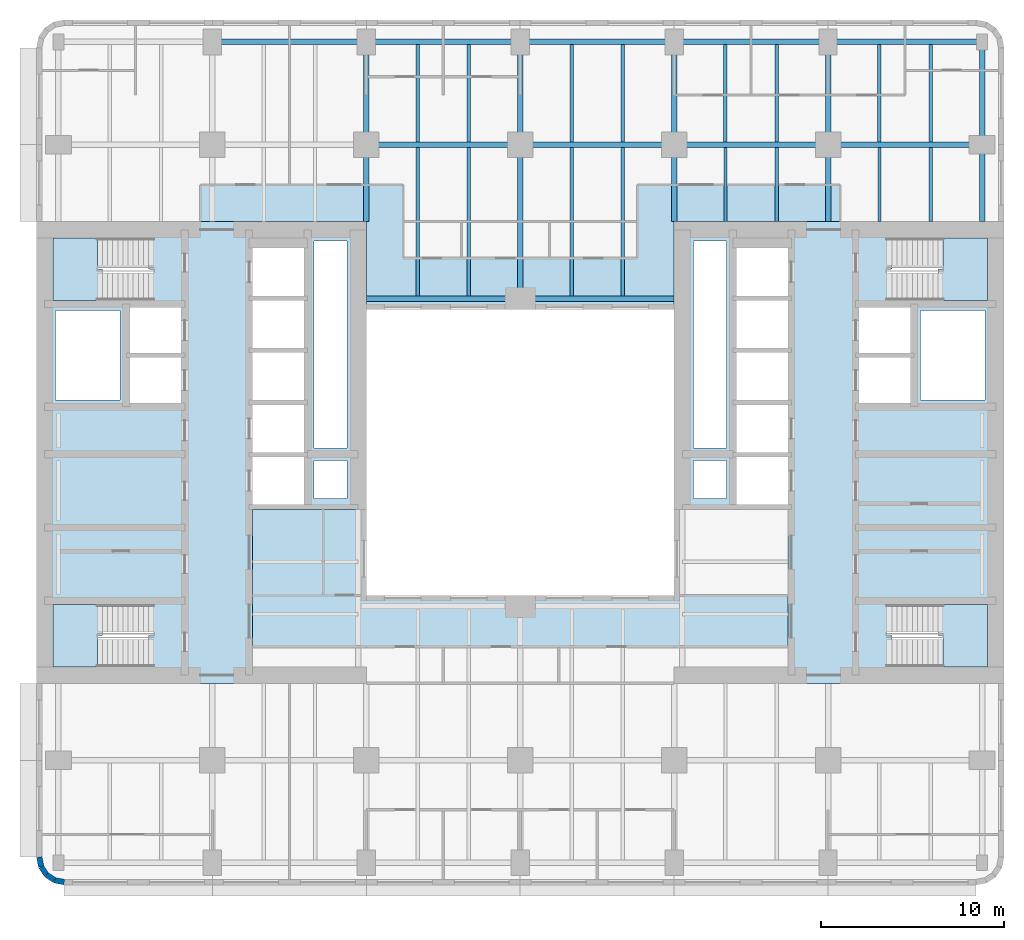
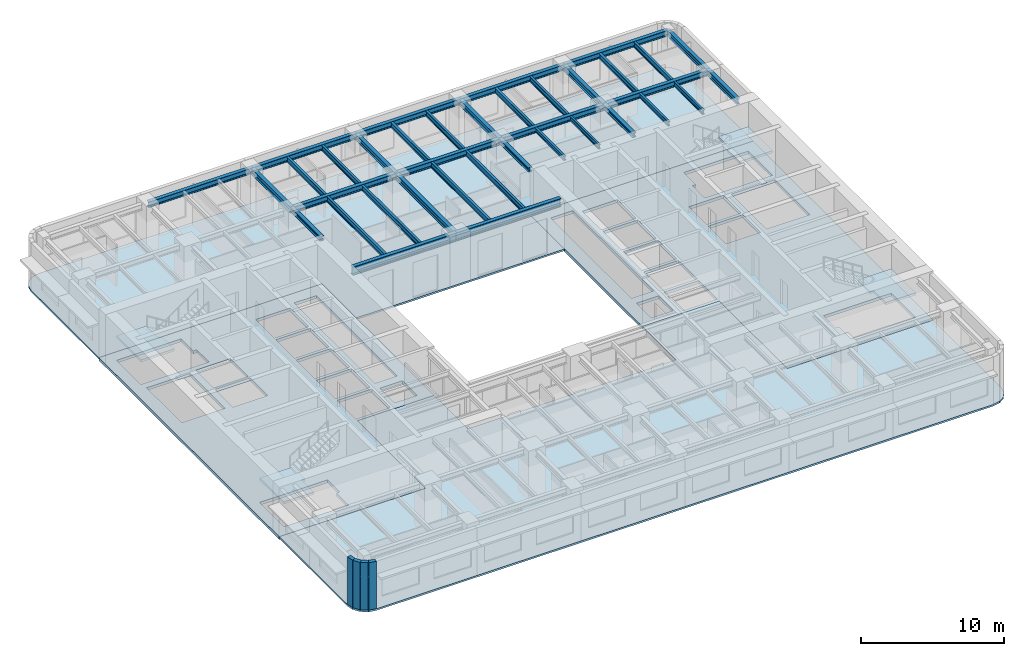
# One storey, part 2 of 11: 37 beams, 8 slabs, 4 walls, 4 elements without a shape of their own.
"""IFC4 building model written with IfcOpenShell, lengths in metres."""

import ifcopenshell
import ifcopenshell.guid

model = None  # the IFC model being written
_history = None  # IfcOwnerHistory: only IFC2X3 demands one
_inside = {}  # id of a spatial element -> (the spatial element, [elements in it])
_under = {}  # id of a project, library or spatial element -> (it, [spatial elements below it])
_declared = {}  # id of a project -> (the project, [libraries it declares])
_typed = {}  # id of a type object -> (the type object, [elements of that type])
_made_of = {}  # id of a material, layer set ... -> (it, [elements and type objects made of it])


def new_model(schema):
    """Start an empty IFC model of exactly this schema.

    Asked for "IFC4X3", IfcOpenShell would pick the latest addendum, in which some entities
    have other attributes; the version numbers below select the first issue.
    IFC2X3 requires an IfcOwnerHistory on every rooted entity: one is made here for all.
    """
    global model, _history
    if schema == "IFC4X3":
        model = ifcopenshell.file(schema_version=(4, 3, 0, 0))
    else:
        model = ifcopenshell.file(schema=schema)
    _inside.clear()
    _under.clear()
    _declared.clear()
    _typed.clear()
    _made_of.clear()
    _history = None
    if model.schema == "IFC2X3":
        org = make("IfcOrganization", Name="unknown")
        user = make(
            "IfcPersonAndOrganization",
            ThePerson=make("IfcPerson", FamilyName="unknown"),
            TheOrganization=org,
        )
        app = make(
            "IfcApplication",
            ApplicationDeveloper=org,
            Version="unknown",
            ApplicationFullName="unknown",
            ApplicationIdentifier="unknown",
        )
        _history = make(
            "IfcOwnerHistory",
            OwningUser=user,
            OwningApplication=app,
            ChangeAction="ADDED",
            CreationDate=0,
        )
    return model


def make(cls, **values):
    """One entity of the class cls with the attributes given. An attribute that is None is left unset."""
    return model.create_entity(
        cls, **{name: value for name, value in values.items() if value is not None}
    )


def rooted(cls, **values):
    """An entity with a GlobalId (a new one), such as an element, a storey or a relation."""
    return make(cls, GlobalId=ifcopenshell.guid.new(), OwnerHistory=_history, **values)


def si_unit(unit_type, name, prefix=None):
    """IfcSIUnit, for example si_unit("LENGTHUNIT", "METRE", prefix="MILLI")."""
    return make("IfcSIUnit", UnitType=unit_type, Prefix=prefix, Name=name)


def assignment(units):
    """IfcUnitAssignment: the units of a project."""
    return None if units is None else make("IfcUnitAssignment", Units=units)


def point(xyz):
    """IfcCartesianPoint."""
    return None if xyz is None else make("IfcCartesianPoint", Coordinates=xyz)


def direction(xyz):
    """IfcDirection."""
    return None if xyz is None else make("IfcDirection", DirectionRatios=xyz)


def frame(location, z_axis=None, x_axis=None):
    """IfcAxis2Placement3D, a coordinate frame: its origin and axes. An axis left out is left unset."""
    return make(
        "IfcAxis2Placement3D",
        Location=point(location),
        Axis=direction(z_axis),
        RefDirection=direction(x_axis),
    )


def frame_2d(location, x_axis=None):
    """IfcAxis2Placement2D, a coordinate frame in the plane: its origin and x axis."""
    return make(
        "IfcAxis2Placement2D", Location=point(location), RefDirection=direction(x_axis)
    )


def origin():
    """The frame at (0, 0, 0) with its axes left unset."""
    return frame((0.0, 0.0, 0.0))


def origin_2d():
    """The frame at (0, 0) in the plane with its x axis left unset."""
    return frame_2d((0.0, 0.0))


def place(relative_to, where):
    """IfcLocalPlacement: puts the frame where relative to a parent placement (None: the world)."""
    return make(
        "IfcLocalPlacement", PlacementRelTo=relative_to, RelativePlacement=where
    )


def context(
    kind, dimensions, precision=None, world=None, true_north=None, identifier=None
):
    """IfcGeometricRepresentationContext, for example the 3D "Model" context."""
    return make(
        "IfcGeometricRepresentationContext",
        ContextIdentifier=identifier,
        ContextType=kind,
        CoordinateSpaceDimension=dimensions,
        Precision=precision,
        WorldCoordinateSystem=world,
        TrueNorth=true_north,
    )


def subcontext(parent, identifier, kind, view, scale=None):
    """IfcGeometricRepresentationSubContext, for example "Body" below "Model"."""
    return make(
        "IfcGeometricRepresentationSubContext",
        ContextIdentifier=identifier,
        ContextType=kind,
        ParentContext=parent,
        TargetScale=scale,
        TargetView=view,
    )


def project(units=None, contexts=None):
    """IfcProject with its units and contexts."""
    return rooted(
        "IfcProject",
        Name="project",
        RepresentationContexts=contexts,
        UnitsInContext=assignment(units),
    )


def spatial(cls, under=None, at=None, **own):
    """A site, building, storey or space (cls), placed at a placement, below another one or the project."""
    s = rooted(cls, ObjectPlacement=at, **own)
    if under is not None:
        _under.setdefault(under.id(), (under, []))[1].append(s)
    return s


def polyline(points):
    """IfcPolyline through the points."""
    return make("IfcPolyline", Points=[point(p) for p in points])


def profile(cls, at=None, kind="AREA", **sizes):
    """A parametric profile (cls). Its sizes go by their IFC names, for example OverallWidth=200.0."""
    return make(cls, ProfileType=kind, Position=at, **sizes)


def rectangle(**sizes):
    """IfcRectangleProfileDef."""
    return profile("IfcRectangleProfileDef", **sizes)


def i_section(**sizes):
    """IfcIShapeProfileDef."""
    return profile("IfcIShapeProfileDef", **sizes)


def outline(outer, holes=None, kind="AREA"):
    """IfcArbitraryClosedProfileDef: a profile drawn as a closed curve; with holes, ...WithVoids."""
    if holes is None:
        return make("IfcArbitraryClosedProfileDef", ProfileType=kind, OuterCurve=outer)
    return make(
        "IfcArbitraryProfileDefWithVoids",
        ProfileType=kind,
        OuterCurve=outer,
        InnerCurves=holes,
    )


def extrude(swept, where, along, depth):
    """IfcExtrudedAreaSolid: the profile swept, set in the frame where, extruded along a direction by depth."""
    return make(
        "IfcExtrudedAreaSolid",
        SweptArea=swept,
        Position=where,
        ExtrudedDirection=direction(along),
        Depth=depth,
    )


def shape(context_of_items, identifier, shape_type, items):
    """IfcShapeRepresentation: the items that make up one representation, for example the "Body"."""
    return make(
        "IfcShapeRepresentation",
        ContextOfItems=context_of_items,
        RepresentationIdentifier=identifier,
        RepresentationType=shape_type,
        Items=items,
    )


def material(Name=None, Category=None):
    """IfcMaterial."""
    return make("IfcMaterial", Name=Name, Category=Category)


def layer(
    of_material, thickness, ventilated=None, Name=None, Category=None, Priority=None
):
    """IfcMaterialLayer: one layer of a wall or slab, of a material (None: an air gap)."""
    return make(
        "IfcMaterialLayer",
        Material=of_material,
        LayerThickness=thickness,
        IsVentilated=ventilated,
        Name=Name,
        Category=Category,
        Priority=Priority,
    )


def layer_set(layers, Name=None):
    """IfcMaterialLayerSet."""
    return make("IfcMaterialLayerSet", MaterialLayers=layers, LayerSetName=Name)


def material_profile(
    of_material, cross_section, Name=None, Category=None, Priority=None
):
    """IfcMaterialProfile: a cross section and its material."""
    return make(
        "IfcMaterialProfile",
        Name=Name,
        Material=of_material,
        Profile=cross_section,
        Priority=Priority,
        Category=Category,
    )


def profile_set(profiles, Name=None, composite=None):
    """IfcMaterialProfileSet."""
    return make(
        "IfcMaterialProfileSet",
        Name=Name,
        MaterialProfiles=profiles,
        CompositeProfile=composite,
    )


def made_of(thing, what):
    """Note that an element or type object is made of a material, layer set ...; save() writes the relation."""
    if what is not None:
        _made_of.setdefault(what.id(), (what, []))[1].append(thing)
    return thing


def type_object(cls, material=None, **own):
    """A type object (cls), such as IfcWallType, which elements share."""
    return made_of(rooted(cls, **own), material)


def element(
    cls,
    number,
    at=None,
    inside=None,
    cuts=None,
    type_object=None,
    material=None,
    context=None,
    identifier="Body",
    shape_type=None,
    held_by="IfcProductDefinitionShape",
    body=None,
    shapes=None,
    **own,
):
    """One element of the class cls, such as IfcWall. Its Tag is "e" and its number.

    at: its placement. inside: the storey or other place that contains it. cuts: it is an
    opening in that element (IfcRelVoidsElement). A single representation is given by context,
    identifier, shape_type and body (its items); several are given by shapes. held_by: the class
    of the entity that holds the representations. save() writes the other relations.
    """
    e = rooted(cls, Tag="e%d" % number, ObjectPlacement=at, **own)
    if body is not None:
        shapes = [shape(context, identifier, shape_type, body)]
    if shapes is not None:
        e.Representation = make(held_by, Representations=shapes)
    if inside is not None:
        _inside.setdefault(inside.id(), (inside, []))[1].append(e)
    if cuts is not None:
        rooted(
            "IfcRelVoidsElement", RelatingBuildingElement=cuts, RelatedOpeningElement=e
        )
    if type_object is not None:
        _typed.setdefault(type_object.id(), (type_object, []))[1].append(e)
    return made_of(e, material)


def aggregate(whole, parts):
    """IfcRelAggregates: a whole, such as a stair, and the parts it consists of."""
    return rooted("IfcRelAggregates", RelatingObject=whole, RelatedObjects=parts)


def save(model, path):
    """Write the relations noted so far, then the file.

    IfcRelAggregates (storeys below a building ...), IfcRelContainedInSpatialStructure (elements
    in a storey), IfcRelDefinesByType, IfcRelAssociatesMaterial and IfcRelDeclares: one each for
    every whole, place, type object, material and project.
    """
    for whole, parts in _under.values():
        aggregate(whole, parts)
    for where, things in _inside.values():
        rooted(
            "IfcRelContainedInSpatialStructure",
            RelatedElements=things,
            RelatingStructure=where,
        )
    for kind, things in _typed.values():
        rooted("IfcRelDefinesByType", RelatedObjects=things, RelatingType=kind)
    for what, things in _made_of.values():
        rooted("IfcRelAssociatesMaterial", RelatedObjects=things, RelatingMaterial=what)
    for by, libraries in _declared.values():
        rooted("IfcRelDeclares", RelatingContext=by, RelatedDefinitions=libraries)
    model.write(path)


model = new_model("IFC4")

# Units and contexts
model_context = context("Model", 3, precision=1e-05, world=origin(), true_north=direction((0.0, 1.0)))
body_context = subcontext(model_context, "Body", "Model", "MODEL_VIEW")
ifc_project = project(units=[si_unit("LENGTHUNIT", "METRE"), si_unit("AREAUNIT", "SQUARE_METRE"), si_unit("VOLUMEUNIT", "CUBIC_METRE"), si_unit("PLANEANGLEUNIT", "RADIAN"), si_unit("MASSUNIT", "GRAM", prefix="KILO")], contexts=[model_context])

# Site, building, storey
site_placement = place(None, origin())
site = spatial("IfcSite", under=ifc_project, at=site_placement, CompositionType="ELEMENT")
building_placement = place(site_placement, origin())
building = spatial("IfcBuilding", under=site, at=building_placement, Name="Claustro Exchange Tower", CompositionType="ELEMENT")
storey_placement = place(building_placement, frame((0.0, 0.0, 159.60009765625)))
storey = spatial("IfcBuildingStorey", under=building, at=storey_placement, Name="L36", CompositionType="ELEMENT", Elevation=159.60009765625)

# Beams
ifc_material_1 = material(Name="Steel S355", Category="steel")
ifc_material_profile_1 = material_profile(ifc_material_1, i_section(OverallWidth=0.300048828125, OverallDepth=0.68994140625, WebThickness=0.014404296875, FlangeThickness=0.027099609375, FilletRadius=0.027099609375, at=origin_2d()), Name="HE 700 A")
ifc_profile_set_1 = profile_set([ifc_material_profile_1], Name="Steel S355")
beam_type_1 = type_object("IfcBeamType", Name="B13 HE 700 A light well edge girder", PredefinedType="BEAM", material=ifc_profile_set_1)
beam_1_placement = place(storey_placement, frame((16.800048828125, 33.60009765625, 3.704833984375), z_axis=(1.0, 0.0, 0.0), x_axis=(0.0, 1.0, 0.0)))
element("IfcBeam", 1, at=beam_1_placement, inside=storey, type_object=beam_type_1, Name="Beam B13 L37", PredefinedType="BEAM", context=body_context, shape_type="SweptSolid", body=[
    extrude(i_section(OverallWidth=0.300048828125, OverallDepth=0.68994140625, WebThickness=0.014404296875, FlangeThickness=0.027099609375, FilletRadius=0.027099609375, at=origin_2d()), origin(), (0.0, 0.0, 1.0), 8.39990234375),
])
beam_2_placement = place(storey_placement, frame((25.199951171875, 33.60009765625, 3.704833984375), z_axis=(1.0, 0.0, 0.0), x_axis=(0.0, 1.0, 0.0)))
element("IfcBeam", 2, at=beam_2_placement, inside=storey, type_object=beam_type_1, Name="Beam B13 L37", PredefinedType="BEAM", context=body_context, shape_type="SweptSolid", body=[
    extrude(i_section(OverallWidth=0.300048828125, OverallDepth=0.68994140625, WebThickness=0.014404296875, FlangeThickness=0.027099609375, FilletRadius=0.027099609375, at=origin_2d()), origin(), (0.0, 0.0, 1.0), 8.400146484375),
])
ifc_material_2 = material(Name="Steel S355", Category="steel")
ifc_material_profile_2 = material_profile(ifc_material_2, i_section(OverallWidth=0.169921875, OverallDepth=0.360107421875, WebThickness=0.008056640625, FlangeThickness=0.0126953125, FilletRadius=0.01806640625, at=origin_2d()), Name="IPE 360")
ifc_profile_set_2 = profile_set([ifc_material_profile_2], Name="Steel S355")
beam_type_2 = type_object("IfcBeamType", Name="B16 IPE 360 short-span beam", PredefinedType="BEAM", material=ifc_profile_set_2)
for number, where, z_axis, x_axis, name in (
    (3, (36.39990234375, 37.7900390625, 3.869873046875), (0.0, 1.0, 0.0), (-1.0, 0.0, 0.0), "Beam B16 L37"),
    (4, (39.199951171875, 37.7900390625, 3.869873046875), (0.0, 1.0, 0.0), (-1.0, 0.0, 0.0), "Beam B16 L37"),
    (5, (44.800048828125, 37.7900390625, 3.869873046875), (0.0, 1.0, 0.0), (-1.0, 0.0, 0.0), "Beam B16 L37"),
    (6, (47.60009765625, 37.7900390625, 3.869873046875), (0.0, 1.0, 0.0), (-1.0, 0.0, 0.0), "Beam B16 L37"),
):
    element("IfcBeam", number, at=place(storey_placement, frame(where, z_axis=z_axis, x_axis=x_axis)), inside=storey, type_object=beam_type_2, Name=name, PredefinedType="BEAM", context=body_context, shape_type="SweptSolid", body=[
        extrude(i_section(OverallWidth=0.169921875, OverallDepth=0.360107421875, WebThickness=0.008056640625, FlangeThickness=0.0126953125, FilletRadius=0.01806640625, at=origin_2d()), origin(), (0.0, 0.0, 1.0), 4.06005859375),
    ])
ifc_material_3 = material(Name="Steel S355", Category="steel")
ifc_material_profile_3 = material_profile(ifc_material_3, i_section(OverallWidth=0.300048828125, OverallDepth=0.360107421875, WebThickness=0.012451171875, FlangeThickness=0.0224609375, FilletRadius=0.027099609375, at=origin_2d()), Name="HE 360 B")
ifc_profile_set_3 = profile_set([ifc_material_profile_3], Name="Steel S355")
beam_type_3 = type_object("IfcBeamType", Name="B29 HE 360 B column to core link beam", PredefinedType="BEAM", material=ifc_profile_set_3)
for number, where, z_axis, x_axis, name in (
    (7, (16.800048828125, 37.800048828125, 3.869873046875), (0.0, 1.0, 0.0), (-1.0, 0.0, 0.0), "Beam B29 L37"),
    (8, (33.60009765625, 37.800048828125, 3.869873046875), (0.0, 1.0, 0.0), (-1.0, 0.0, 0.0), "Beam B29 L37"),
    (9, (42.0, 37.800048828125, 3.869873046875), (0.0, 1.0, 0.0), (-1.0, 0.0, 0.0), "Beam B29 L37"),
):
    element("IfcBeam", number, at=place(storey_placement, frame(where, z_axis=z_axis, x_axis=x_axis)), inside=storey, type_object=beam_type_3, Name=name, PredefinedType="BEAM", context=body_context, shape_type="SweptSolid", body=[
        extrude(i_section(OverallWidth=0.300048828125, OverallDepth=0.360107421875, WebThickness=0.012451171875, FlangeThickness=0.0224609375, FilletRadius=0.027099609375, at=origin_2d()), origin(), (0.0, 0.0, 1.0), 4.199951171875),
    ])
ifc_material_4 = material(Name="Steel S355", Category="steel")
ifc_material_profile_4 = material_profile(ifc_material_4, i_section(OverallWidth=0.300048828125, OverallDepth=0.5, WebThickness=0.014404296875, FlangeThickness=0.028076171875, FilletRadius=0.027099609375, at=origin_2d()), Name="HE 500 B")
ifc_profile_set_4 = profile_set([ifc_material_profile_4], Name="Steel S355")
beam_type_4 = type_object("IfcBeamType", Name="B7 HE 500 B floor girder", PredefinedType="BEAM", material=ifc_profile_set_4)
beam_3_placement = place(storey_placement, frame((16.800048828125, 42.0, 3.7998046875), z_axis=(0.0, 1.0, 0.0), x_axis=(-1.0, 0.0, 0.0)))
element("IfcBeam", 10, at=beam_3_placement, inside=storey, type_object=beam_type_4, Name="Beam B7 L37", PredefinedType="BEAM", context=body_context, shape_type="SweptSolid", body=[
    extrude(i_section(OverallWidth=0.300048828125, OverallDepth=0.5, WebThickness=0.014404296875, FlangeThickness=0.028076171875, FilletRadius=0.027099609375, at=origin_2d()), origin(), (0.0, 0.0, 1.0), 5.60009765625),
])
beam_4_placement = place(storey_placement, frame((25.199951171875, 33.60009765625, 3.7998046875), z_axis=(0.0, 1.0, 0.0), x_axis=(-1.0, 0.0, 0.0)))
element("IfcBeam", 11, at=beam_4_placement, inside=storey, type_object=beam_type_4, Name="Beam B7 L37", PredefinedType="BEAM", context=body_context, shape_type="SweptSolid", body=[
    extrude(i_section(OverallWidth=0.300048828125, OverallDepth=0.5, WebThickness=0.014404296875, FlangeThickness=0.028076171875, FilletRadius=0.027099609375, at=origin_2d()), origin(), (0.0, 0.0, 1.0), 8.39990234375),
])
for number, where, z_axis, x_axis, name in (
    (12, (25.199951171875, 42.0, 3.7998046875), (0.0, 1.0, 0.0), (-1.0, 0.0, 0.0), "Beam B7 L37"),
    (13, (33.60009765625, 42.0, 3.7998046875), (0.0, 1.0, 0.0), (-1.0, 0.0, 0.0), "Beam B7 L37"),
    (14, (42.0, 42.0, 3.7998046875), (0.0, 1.0, 0.0), (-1.0, 0.0, 0.0), "Beam B7 L37"),
):
    element("IfcBeam", number, at=place(storey_placement, frame(where, z_axis=z_axis, x_axis=x_axis)), inside=storey, type_object=beam_type_4, Name=name, PredefinedType="BEAM", context=body_context, shape_type="SweptSolid", body=[
        extrude(i_section(OverallWidth=0.300048828125, OverallDepth=0.5, WebThickness=0.014404296875, FlangeThickness=0.028076171875, FilletRadius=0.027099609375, at=origin_2d()), origin(), (0.0, 0.0, 1.0), 5.60009765625),
    ])
beam_5_placement = place(storey_placement, frame((16.800048828125, 42.0, 3.7998046875), z_axis=(1.0, 0.0, 0.0), x_axis=(0.0, 1.0, 0.0)))
element("IfcBeam", 15, at=beam_5_placement, inside=storey, type_object=beam_type_4, Name="Beam B7 L37", PredefinedType="BEAM", context=body_context, shape_type="SweptSolid", body=[
    extrude(i_section(OverallWidth=0.300048828125, OverallDepth=0.5, WebThickness=0.014404296875, FlangeThickness=0.028076171875, FilletRadius=0.027099609375, at=origin_2d()), origin(), (0.0, 0.0, 1.0), 8.39990234375),
])
beam_6_placement = place(storey_placement, frame((25.199951171875, 42.0, 3.7998046875), z_axis=(1.0, 0.0, 0.0), x_axis=(0.0, 1.0, 0.0)))
element("IfcBeam", 16, at=beam_6_placement, inside=storey, type_object=beam_type_4, Name="Beam B7 L37", PredefinedType="BEAM", context=body_context, shape_type="SweptSolid", body=[
    extrude(i_section(OverallWidth=0.300048828125, OverallDepth=0.5, WebThickness=0.014404296875, FlangeThickness=0.028076171875, FilletRadius=0.027099609375, at=origin_2d()), origin(), (0.0, 0.0, 1.0), 8.400146484375),
])
for number, where, z_axis, x_axis, name in (
    (17, (33.60009765625, 42.0, 3.7998046875), (1.0, 0.0, 0.0), (0.0, 1.0, 0.0), "Beam B7 L37"),
    (18, (42.0, 42.0, 3.7998046875), (1.0, 0.0, 0.0), (0.0, 1.0, 0.0), "Beam B7 L37"),
):
    element("IfcBeam", number, at=place(storey_placement, frame(where, z_axis=z_axis, x_axis=x_axis)), inside=storey, type_object=beam_type_4, Name=name, PredefinedType="BEAM", context=body_context, shape_type="SweptSolid", body=[
        extrude(i_section(OverallWidth=0.300048828125, OverallDepth=0.5, WebThickness=0.014404296875, FlangeThickness=0.028076171875, FilletRadius=0.027099609375, at=origin_2d()), origin(), (0.0, 0.0, 1.0), 8.39990234375),
    ])
ifc_material_5 = material(Name="Steel S355", Category="steel")
ifc_material_profile_5 = material_profile(ifc_material_5, i_section(OverallWidth=0.18994140625, OverallDepth=0.449951171875, WebThickness=0.009521484375, FlangeThickness=0.0146484375, FilletRadius=0.02099609375, at=origin_2d()), Name="IPE 450")
ifc_profile_set_5 = profile_set([ifc_material_profile_5], Name="Steel S355")
beam_type_5 = type_object("IfcBeamType", Name="B8 IPE 450 secondary beam", PredefinedType="BEAM", material=ifc_profile_set_5)
for number, where, z_axis, x_axis, name in (
    (19, (19.60009765625, 33.75, 3.824951171875), (0.0, 1.0, 0.0), (-1.0, 0.0, 0.0), "Beam B8 L37"),
    (20, (22.39990234375, 33.75, 3.824951171875), (0.0, 1.0, 0.0), (-1.0, 0.0, 0.0), "Beam B8 L37"),
):
    element("IfcBeam", number, at=place(storey_placement, frame(where, z_axis=z_axis, x_axis=x_axis)), inside=storey, type_object=beam_type_5, Name=name, PredefinedType="BEAM", context=body_context, shape_type="SweptSolid", body=[
        extrude(i_section(OverallWidth=0.18994140625, OverallDepth=0.449951171875, WebThickness=0.009521484375, FlangeThickness=0.0146484375, FilletRadius=0.02099609375, at=origin_2d()), origin(), (0.0, 0.0, 1.0), 8.10009765625),
    ])
for number, where, z_axis, x_axis, name in (
    (21, (19.60009765625, 42.14990234375, 3.824951171875), (0.0, 1.0, 0.0), (-1.0, 0.0, 0.0), "Beam B8 L37"),
    (22, (22.39990234375, 42.14990234375, 3.824951171875), (0.0, 1.0, 0.0), (-1.0, 0.0, 0.0), "Beam B8 L37"),
):
    element("IfcBeam", number, at=place(storey_placement, frame(where, z_axis=z_axis, x_axis=x_axis)), inside=storey, type_object=beam_type_5, Name=name, PredefinedType="BEAM", context=body_context, shape_type="SweptSolid", body=[
        extrude(i_section(OverallWidth=0.18994140625, OverallDepth=0.449951171875, WebThickness=0.009521484375, FlangeThickness=0.0146484375, FilletRadius=0.02099609375, at=origin_2d()), origin(), (0.0, 0.0, 1.0), 5.300048828125),
    ])
for number, where, z_axis, x_axis, name in (
    (23, (28.0, 33.75, 3.824951171875), (0.0, 1.0, 0.0), (-1.0, 0.0, 0.0), "Beam B8 L37"),
    (24, (30.800048828125, 33.75, 3.824951171875), (0.0, 1.0, 0.0), (-1.0, 0.0, 0.0), "Beam B8 L37"),
):
    element("IfcBeam", number, at=place(storey_placement, frame(where, z_axis=z_axis, x_axis=x_axis)), inside=storey, type_object=beam_type_5, Name=name, PredefinedType="BEAM", context=body_context, shape_type="SweptSolid", body=[
        extrude(i_section(OverallWidth=0.18994140625, OverallDepth=0.449951171875, WebThickness=0.009521484375, FlangeThickness=0.0146484375, FilletRadius=0.02099609375, at=origin_2d()), origin(), (0.0, 0.0, 1.0), 8.10009765625),
    ])
for number, where, z_axis, x_axis, name in (
    (25, (28.0, 42.14990234375, 3.824951171875), (0.0, 1.0, 0.0), (-1.0, 0.0, 0.0), "Beam B8 L37"),
    (26, (30.800048828125, 42.14990234375, 3.824951171875), (0.0, 1.0, 0.0), (-1.0, 0.0, 0.0), "Beam B8 L37"),
    (27, (36.39990234375, 42.14990234375, 3.824951171875), (0.0, 1.0, 0.0), (-1.0, 0.0, 0.0), "Beam B8 L37"),
    (28, (39.199951171875, 42.14990234375, 3.824951171875), (0.0, 1.0, 0.0), (-1.0, 0.0, 0.0), "Beam B8 L37"),
    (29, (44.800048828125, 42.14990234375, 3.824951171875), (0.0, 1.0, 0.0), (-1.0, 0.0, 0.0), "Beam B8 L37"),
    (30, (47.60009765625, 42.14990234375, 3.824951171875), (0.0, 1.0, 0.0), (-1.0, 0.0, 0.0), "Beam B8 L37"),
):
    element("IfcBeam", number, at=place(storey_placement, frame(where, z_axis=z_axis, x_axis=x_axis)), inside=storey, type_object=beam_type_5, Name=name, PredefinedType="BEAM", context=body_context, shape_type="SweptSolid", body=[
        extrude(i_section(OverallWidth=0.18994140625, OverallDepth=0.449951171875, WebThickness=0.009521484375, FlangeThickness=0.0146484375, FilletRadius=0.02099609375, at=origin_2d()), origin(), (0.0, 0.0, 1.0), 5.300048828125),
    ])
ifc_material_6 = material(Name="Steel S355", Category="steel")
ifc_material_profile_6 = material_profile(ifc_material_6, i_section(OverallWidth=0.300048828125, OverallDepth=0.489990234375, WebThickness=0.011962890625, FlangeThickness=0.02294921875, FilletRadius=0.027099609375, at=origin_2d()), Name="HE 500 A")
ifc_profile_set_6 = profile_set([ifc_material_profile_6], Name="Steel S355")
beam_type_6 = type_object("IfcBeamType", Name="B9 HE 500 A spandrel edge girder", PredefinedType="SPANDREL", material=ifc_profile_set_6)
beam_7_placement = place(storey_placement, frame((50.39990234375, 37.800048828125, 3.804931640625), z_axis=(0.0, 1.0, 0.0), x_axis=(-1.0, 0.0, 0.0)))
element("IfcBeam", 31, at=beam_7_placement, inside=storey, type_object=beam_type_6, Name="Beam B9 L37", PredefinedType="SPANDREL", context=body_context, shape_type="SweptSolid", body=[
    extrude(i_section(OverallWidth=0.300048828125, OverallDepth=0.489990234375, WebThickness=0.011962890625, FlangeThickness=0.02294921875, FilletRadius=0.027099609375, at=origin_2d()), origin(), (0.0, 0.0, 1.0), 4.199951171875),
])
beam_8_placement = place(storey_placement, frame((50.39990234375, 42.0, 3.804931640625), z_axis=(0.0, 1.0, 0.0), x_axis=(-1.0, 0.0, 0.0)))
element("IfcBeam", 32, at=beam_8_placement, inside=storey, type_object=beam_type_6, Name="Beam B9 L37", PredefinedType="SPANDREL", context=body_context, shape_type="SweptSolid", body=[
    extrude(i_section(OverallWidth=0.300048828125, OverallDepth=0.489990234375, WebThickness=0.011962890625, FlangeThickness=0.02294921875, FilletRadius=0.027099609375, at=origin_2d()), origin(), (0.0, 0.0, 1.0), 5.60009765625),
])
beam_9_placement = place(storey_placement, frame((8.39990234375, 47.60009765625, 3.804931640625), z_axis=(1.0, 0.0, 0.0), x_axis=(0.0, 1.0, 0.0)))
element("IfcBeam", 33, at=beam_9_placement, inside=storey, type_object=beam_type_6, Name="Beam B9 L37", PredefinedType="SPANDREL", context=body_context, shape_type="SweptSolid", body=[
    extrude(i_section(OverallWidth=0.300048828125, OverallDepth=0.489990234375, WebThickness=0.011962890625, FlangeThickness=0.02294921875, FilletRadius=0.027099609375, at=origin_2d()), origin(), (0.0, 0.0, 1.0), 8.400146484375),
])
beam_10_placement = place(storey_placement, frame((16.800048828125, 47.60009765625, 3.804931640625), z_axis=(1.0, 0.0, 0.0), x_axis=(0.0, 1.0, 0.0)))
element("IfcBeam", 34, at=beam_10_placement, inside=storey, type_object=beam_type_6, Name="Beam B9 L37", PredefinedType="SPANDREL", context=body_context, shape_type="SweptSolid", body=[
    extrude(i_section(OverallWidth=0.300048828125, OverallDepth=0.489990234375, WebThickness=0.011962890625, FlangeThickness=0.02294921875, FilletRadius=0.027099609375, at=origin_2d()), origin(), (0.0, 0.0, 1.0), 8.39990234375),
])
beam_11_placement = place(storey_placement, frame((25.199951171875, 47.60009765625, 3.804931640625), z_axis=(1.0, 0.0, 0.0), x_axis=(0.0, 1.0, 0.0)))
element("IfcBeam", 35, at=beam_11_placement, inside=storey, type_object=beam_type_6, Name="Beam B9 L37", PredefinedType="SPANDREL", context=body_context, shape_type="SweptSolid", body=[
    extrude(i_section(OverallWidth=0.300048828125, OverallDepth=0.489990234375, WebThickness=0.011962890625, FlangeThickness=0.02294921875, FilletRadius=0.027099609375, at=origin_2d()), origin(), (0.0, 0.0, 1.0), 8.400146484375),
])
for number, where, z_axis, x_axis, name in (
    (36, (33.60009765625, 47.60009765625, 3.804931640625), (1.0, 0.0, 0.0), (0.0, 1.0, 0.0), "Beam B9 L37"),
    (37, (42.0, 47.60009765625, 3.804931640625), (1.0, 0.0, 0.0), (0.0, 1.0, 0.0), "Beam B9 L37"),
):
    element("IfcBeam", number, at=place(storey_placement, frame(where, z_axis=z_axis, x_axis=x_axis)), inside=storey, type_object=beam_type_6, Name=name, PredefinedType="SPANDREL", context=body_context, shape_type="SweptSolid", body=[
        extrude(i_section(OverallWidth=0.300048828125, OverallDepth=0.489990234375, WebThickness=0.011962890625, FlangeThickness=0.02294921875, FilletRadius=0.027099609375, at=origin_2d()), origin(), (0.0, 0.0, 1.0), 8.39990234375),
    ])

# Slabs
ifc_material_7 = material(Name="Concrete HA-50 (C50/60)", Category="concrete")
ifc_layer_1 = layer(ifc_material_7, 0.14990234375)
ifc_layer_set_1 = layer_set([ifc_layer_1], Name="Concrete HA-50 (C50/60)")
slab_type_1 = type_object("IfcSlabType", Name="S2 150 composite floor slab", PredefinedType="FLOOR", material=ifc_layer_set_1)
slab_1_placement = place(storey_placement, frame((0.0, 0.0, -0.150146484375)))
element("IfcSlab", 38, at=slab_1_placement, inside=storey, type_object=slab_type_1, Name="Floor slab S2 S L36", PredefinedType="FLOOR", context=body_context, shape_type="SweptSolid", body=[
    extrude(outline(polyline([(-0.27392578125, 1.714111328125), (0.300048828125, 1.60009765625), (50.10009765625, 1.60009765625), (50.674072265625, 1.714111328125), (51.16064453125, 2.039306640625), (51.48583984375, 2.52587890625), (51.60009765625, 3.10009765625), (51.60009765625, 12.60009765625), (39.800048828125, 12.60009765625), (39.800048828125, 22.10009765625), (33.60009765625, 22.10009765625), (33.60009765625, 17.39990234375), (16.800048828125, 17.39990234375), (16.800048828125, 22.10009765625), (10.60009765625, 22.10009765625), (10.60009765625, 12.60009765625), (-1.199951171875, 12.60009765625), (-1.199951171875, 3.10009765625), (-1.085693359375, 2.52587890625), (-0.7607421875, 2.039306640625), (-0.27392578125, 1.714111328125)])), origin(), (0.0, 0.0, 1.0), 0.150146484375),
])
slab_2_placement = place(storey_placement, frame((0.0, 0.0, -0.150146484375)))
element("IfcSlab", 39, at=slab_2_placement, inside=storey, type_object=slab_type_1, Name="Floor slab S2 N L36", PredefinedType="FLOOR", context=body_context, shape_type="SweptSolid", body=[
    extrude(outline(polyline([(16.800048828125, 37.800048828125), (16.800048828125, 33.0), (33.60009765625, 33.0), (33.60009765625, 37.800048828125), (51.60009765625, 37.800048828125), (51.60009765625, 47.300048828125), (51.48583984375, 47.8740234375), (51.16064453125, 48.360595703125), (50.674072265625, 48.685791015625), (50.10009765625, 48.800048828125), (0.300048828125, 48.800048828125), (-0.27392578125, 48.685791015625), (-0.7607421875, 48.360595703125), (-1.085693359375, 47.8740234375), (-1.199951171875, 47.300048828125), (-1.199951171875, 37.800048828125), (16.800048828125, 37.800048828125)])), origin(), (0.0, 0.0, 1.0), 0.150146484375),
])
ifc_material_8 = material(Name="Concrete HA-50 (C50/60)", Category="concrete")
ifc_layer_2 = layer(ifc_material_8, 0.25)
ifc_layer_set_2 = layer_set([ifc_layer_2], Name="Concrete HA-50 (C50/60)")
slab_type_2 = type_object("IfcSlabType", Name="S7 250 core floor slab", PredefinedType="FLOOR", material=ifc_layer_set_2)
slab_3_placement = place(storey_placement, frame((0.0, 0.0, -0.25)))
element("IfcSlab", 40, at=slab_3_placement, inside=storey, type_object=slab_type_2, Name="Core floor slab S7 W core L36", PredefinedType="FLOOR", context=body_context, shape_type="SweptSolid", body=[
    extrude(outline(polyline([(-1.199951171875, 37.800048828125), (-1.199951171875, 12.60009765625), (10.60009765625, 12.60009765625), (10.60009765625, 22.10009765625), (16.800048828125, 22.10009765625), (16.800048828125, 37.800048828125), (-1.199951171875, 37.800048828125)]), holes=[polyline([(13.949951171875, 24.75), (15.75, 24.75), (15.75, 22.699951171875), (13.949951171875, 22.699951171875), (13.949951171875, 24.75)]), polyline([(13.949951171875, 36.75), (15.75, 36.75), (15.75, 25.449951171875), (13.949951171875, 25.449951171875), (13.949951171875, 36.75)]), polyline([(13.39990234375, 24.949951171875), (13.39990234375, 22.35009765625), (10.60009765625, 22.35009765625), (10.60009765625, 24.949951171875), (13.39990234375, 24.949951171875)]), polyline([(13.39990234375, 27.800048828125), (13.39990234375, 25.199951171875), (10.60009765625, 25.199951171875), (10.60009765625, 27.800048828125), (13.39990234375, 27.800048828125)]), polyline([(13.39990234375, 30.64990234375), (13.39990234375, 28.050048828125), (10.60009765625, 28.050048828125), (10.60009765625, 30.64990234375), (13.39990234375, 30.64990234375)]), polyline([(13.39990234375, 33.5), (13.39990234375, 30.89990234375), (10.60009765625, 30.89990234375), (10.60009765625, 33.5), (13.39990234375, 33.5)]), polyline([(13.39990234375, 36.35009765625), (13.39990234375, 33.75), (10.60009765625, 33.75), (10.60009765625, 36.35009765625), (13.39990234375, 36.35009765625)]), polyline([(6.699951171875, 30.375), (6.699951171875, 27.89990234375), (3.89990234375, 27.89990234375), (3.89990234375, 30.375), (6.699951171875, 30.375)]), polyline([(6.699951171875, 33.10009765625), (6.699951171875, 30.625), (3.89990234375, 30.625), (3.89990234375, 33.10009765625), (6.699951171875, 33.10009765625)]), polyline([(-0.300048828125, 15.199951171875), (-0.300048828125, 16.89990234375), (5.195068359375, 16.89990234375), (5.195068359375, 15.199951171875), (4.919921875, 15.199951171875), (4.919921875, 13.5), (-0.300048828125, 13.5), (-0.300048828125, 15.199951171875)]), polyline([(-0.300048828125, 35.199951171875), (-0.300048828125, 36.89990234375), (4.919921875, 36.89990234375), (4.919921875, 35.199951171875), (5.195068359375, 35.199951171875), (5.195068359375, 33.5), (-0.300048828125, 33.5), (-0.300048828125, 35.199951171875)]), polyline([(-0.14990234375, 32.949951171875), (3.35009765625, 32.949951171875), (3.35009765625, 28.050048828125), (-0.14990234375, 28.050048828125), (-0.14990234375, 32.949951171875)])]), origin(), (0.0, 0.0, 1.0), 0.25),
])
slab_4_placement = place(storey_placement, frame((0.0, 0.0, -0.25)))
element("IfcSlab", 41, at=slab_4_placement, inside=storey, type_object=slab_type_2, Name="Core floor slab S7 E core L36", PredefinedType="FLOOR", context=body_context, shape_type="SweptSolid", body=[
    extrude(outline(polyline([(51.60009765625, 37.800048828125), (33.60009765625, 37.800048828125), (33.60009765625, 22.10009765625), (39.800048828125, 22.10009765625), (39.800048828125, 12.60009765625), (51.60009765625, 12.60009765625), (51.60009765625, 37.800048828125)]), holes=[polyline([(45.47998046875, 15.199951171875), (45.205078125, 15.199951171875), (45.205078125, 16.89990234375), (50.699951171875, 16.89990234375), (50.699951171875, 15.199951171875), (50.699951171875, 13.5), (45.47998046875, 13.5), (45.47998046875, 15.199951171875)]), polyline([(45.47998046875, 35.199951171875), (45.47998046875, 36.89990234375), (50.699951171875, 36.89990234375), (50.699951171875, 35.199951171875), (50.699951171875, 33.5), (45.205078125, 33.5), (45.205078125, 35.199951171875), (45.47998046875, 35.199951171875)]), polyline([(50.550048828125, 32.949951171875), (50.550048828125, 28.050048828125), (47.050048828125, 28.050048828125), (47.050048828125, 32.949951171875), (50.550048828125, 32.949951171875)]), polyline([(43.699951171875, 33.10009765625), (46.5, 33.10009765625), (46.5, 30.625), (43.699951171875, 30.625), (43.699951171875, 33.10009765625)]), polyline([(46.5, 30.375), (46.5, 27.89990234375), (43.699951171875, 27.89990234375), (43.699951171875, 30.375), (46.5, 30.375)]), polyline([(37.0, 24.949951171875), (39.800048828125, 24.949951171875), (39.800048828125, 22.35009765625), (37.0, 22.35009765625), (37.0, 24.949951171875)]), polyline([(37.0, 30.64990234375), (39.800048828125, 30.64990234375), (39.800048828125, 28.050048828125), (37.0, 28.050048828125), (37.0, 30.64990234375)]), polyline([(39.800048828125, 27.800048828125), (39.800048828125, 25.199951171875), (37.0, 25.199951171875), (37.0, 27.800048828125), (39.800048828125, 27.800048828125)]), polyline([(39.800048828125, 33.5), (39.800048828125, 30.89990234375), (37.0, 30.89990234375), (37.0, 33.5), (39.800048828125, 33.5)]), polyline([(39.800048828125, 36.35009765625), (39.800048828125, 33.75), (37.0, 33.75), (37.0, 36.35009765625), (39.800048828125, 36.35009765625)]), polyline([(36.449951171875, 24.75), (36.449951171875, 22.699951171875), (34.64990234375, 22.699951171875), (34.64990234375, 24.75), (36.449951171875, 24.75)]), polyline([(36.449951171875, 36.75), (36.449951171875, 25.449951171875), (34.64990234375, 25.449951171875), (34.64990234375, 36.75), (36.449951171875, 36.75)])]), origin(), (0.0, 0.0, 1.0), 0.25),
])

# Stair, slab
ifc_material_9 = material(Name="Concrete HA-30 (C30/37), precast", Category="concrete")
stair_type = type_object("IfcStairType", Name="ST1 half-turn stair, 24 risers of 175", PredefinedType="HALF_TURN_STAIR", material=ifc_material_9)
stair_1_placement = place(storey_placement, origin())
stair_1 = element("IfcStair", 42, at=stair_1_placement, inside=storey, type_object=stair_type, Name="Stair STWA L36", PredefinedType="HALF_TURN_STAIR")
ifc_material_10 = material(Name="Concrete HA-30 (C30/37), precast", Category="concrete")
ifc_layer_3 = layer(ifc_material_10, 0.199951171875)
ifc_layer_set_3 = layer_set([ifc_layer_3], Name="Concrete HA-30 (C30/37), precast")
slab_type_3 = type_object("IfcSlabType", Name="S9 200 stair landing", PredefinedType="LANDING", material=ifc_layer_set_3)
slab_5_placement = place(storey_placement, frame((0.0, 0.0, 1.89990234375)))
slab_5 = element("IfcSlab", 43, at=slab_5_placement, type_object=slab_type_3, Name="STWA landing 1", PredefinedType="LANDING", context=body_context, shape_type="SweptSolid", body=[
    extrude(outline(polyline([(2.125, 13.5), (-0.300048828125, 13.5), (-0.300048828125, 16.89990234375), (2.1201171875, 16.89990234375), (2.125, 16.89990234375), (2.39990234375, 16.89990234375), (2.39990234375, 15.199951171875), (2.125, 15.199951171875), (2.125, 13.5)])), origin(), (0.0, 0.0, 1.0), 0.199951171875),
])
aggregate(stair_1, [slab_5])

stair_2_placement = place(storey_placement, origin())
stair_2 = element("IfcStair", 44, at=stair_2_placement, inside=storey, type_object=stair_type, Name="Stair STWB L36", PredefinedType="HALF_TURN_STAIR")
slab_6_placement = place(storey_placement, frame((0.0, 0.0, 1.89990234375)))
slab_6 = element("IfcSlab", 45, at=slab_6_placement, type_object=slab_type_3, Name="STWB landing 1", PredefinedType="LANDING", context=body_context, shape_type="SweptSolid", body=[
    extrude(outline(polyline([(2.39990234375, 35.199951171875), (2.39990234375, 33.5), (2.125, 33.5), (2.1201171875, 33.5), (-0.300048828125, 33.5), (-0.300048828125, 36.89990234375), (2.125, 36.89990234375), (2.125, 35.199951171875), (2.39990234375, 35.199951171875)])), origin(), (0.0, 0.0, 1.0), 0.199951171875),
])
aggregate(stair_2, [slab_6])

stair_3_placement = place(storey_placement, origin())
stair_3 = element("IfcStair", 46, at=stair_3_placement, inside=storey, type_object=stair_type, Name="Stair STEA L36", PredefinedType="HALF_TURN_STAIR")
slab_7_placement = place(storey_placement, frame((0.0, 0.0, 1.89990234375)))
slab_7 = element("IfcSlab", 47, at=slab_7_placement, type_object=slab_type_3, Name="STEA landing 1", PredefinedType="LANDING", context=body_context, shape_type="SweptSolid", body=[
    extrude(outline(polyline([(50.699951171875, 16.89990234375), (50.699951171875, 13.5), (48.27490234375, 13.5), (48.27490234375, 15.199951171875), (48.0, 15.199951171875), (48.0, 16.89990234375), (48.27490234375, 16.89990234375), (48.280029296875, 16.89990234375), (50.699951171875, 16.89990234375)])), origin(), (0.0, 0.0, 1.0), 0.199951171875),
])
aggregate(stair_3, [slab_7])

stair_4_placement = place(storey_placement, origin())
stair_4 = element("IfcStair", 48, at=stair_4_placement, inside=storey, type_object=stair_type, Name="Stair STEB L36", PredefinedType="HALF_TURN_STAIR")
slab_8_placement = place(storey_placement, frame((0.0, 0.0, 1.89990234375)))
slab_8 = element("IfcSlab", 49, at=slab_8_placement, type_object=slab_type_3, Name="STEB landing 1", PredefinedType="LANDING", context=body_context, shape_type="SweptSolid", body=[
    extrude(outline(polyline([(48.0, 33.5), (48.0, 35.199951171875), (48.27490234375, 35.199951171875), (48.27490234375, 36.89990234375), (50.699951171875, 36.89990234375), (50.699951171875, 33.5), (48.280029296875, 33.5), (48.27490234375, 33.5), (48.0, 33.5)])), origin(), (0.0, 0.0, 1.0), 0.199951171875),
])
aggregate(stair_4, [slab_8])

# Walls
ifc_material_11 = material(Name="Concrete HA-40 (C40/50), precast, white cement, acid-etched", Category="concrete")
ifc_layer_4 = layer(ifc_material_11, 0.300048828125)
ifc_layer_set_4 = layer_set([ifc_layer_4], Name="Concrete HA-40 (C40/50), precast, white cement, acid-etched")
wall_type = type_object("IfcWallType", Name="PC1 300 precast concrete pier panel", PredefinedType="SOLIDWALL", material=ifc_layer_set_4)
wall_1_placement = place(storey_placement, frame((0.314697265625, 1.75, 0.0), z_axis=(0.0, 0.0, 1.0), x_axis=(-0.980788534345, 0.195073962632, 0.0)))
element("IfcWall", 50, at=wall_1_placement, inside=storey, type_object=wall_type, Name="Precast pier panel PC1 L36", PredefinedType="SOLIDWALL", context=body_context, shape_type="SweptSolid", body=[
    extrude(rectangle(XDim=0.540771484375, YDim=0.300048828125, at=frame_2d((0.2705078125, 0.0))), origin(), (0.0, 0.0, 1.0), 4.0498046875),
])
for number, where, z_axis, x_axis, name in (
    (51, (-0.215576171875, 1.85546875, 0.0), (0.0, 0.0, 1.0), (-0.831478144188, 0.555557463938, 0.0), "Precast pier panel PC1 L36"),
    (52, (-0.652587890625, 2.1474609375, 0.0), (0.0, 0.0, 1.0), (-0.555557463938, 0.831478144188, 0.0), "Precast pier panel PC1 L36"),
):
    element("IfcWall", number, at=place(storey_placement, frame(where, z_axis=z_axis, x_axis=x_axis)), inside=storey, type_object=wall_type, Name=name, PredefinedType="SOLIDWALL", context=body_context, shape_type="SweptSolid", body=[
        extrude(rectangle(XDim=0.525634765625, YDim=0.300048828125, at=frame_2d((0.2626953125, 0.0))), origin(), (0.0, 0.0, 1.0), 4.0498046875),
    ])
wall_2_placement = place(storey_placement, frame((-0.944580078125, 2.58447265625, 0.0), z_axis=(0.0, 0.0, 1.0), x_axis=(-0.195073962632, 0.980788534345, 0.0)))
element("IfcWall", 53, at=wall_2_placement, inside=storey, type_object=wall_type, Name="Precast pier panel PC1 L36", PredefinedType="SOLIDWALL", context=body_context, shape_type="SweptSolid", body=[
    extrude(rectangle(XDim=0.540771484375, YDim=0.300048828125, at=frame_2d((0.2705078125, 0.0))), origin(), (0.0, 0.0, 1.0), 4.0498046875),
])

save(model, "model.ifc")
